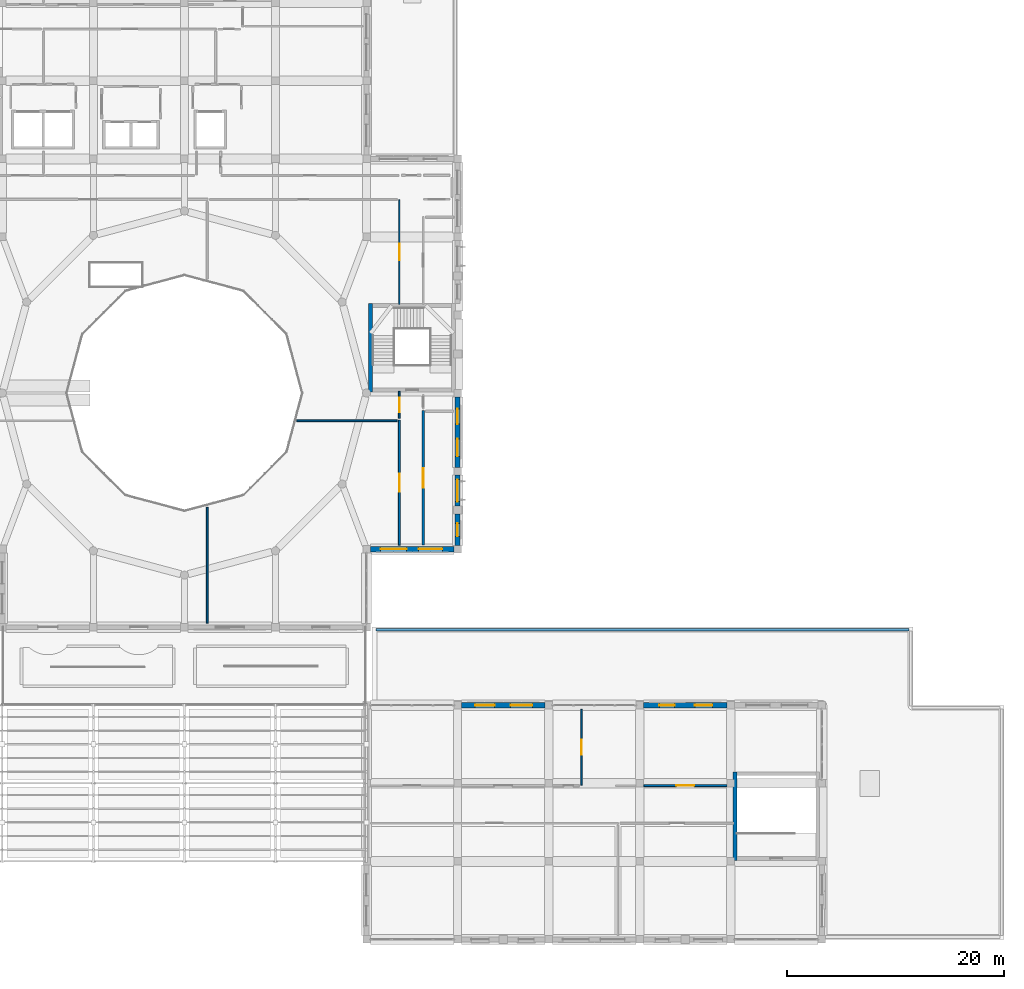
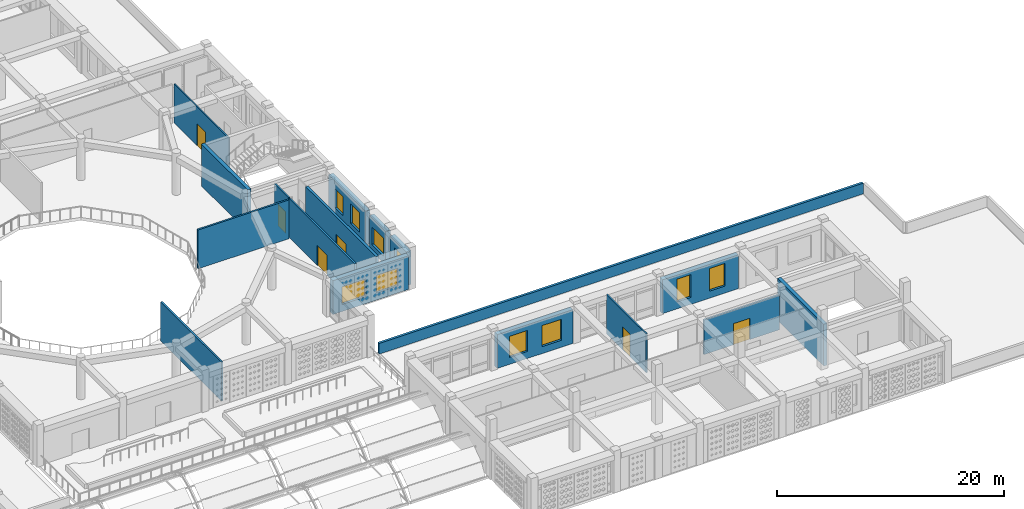
# One storey, part 59 of 100: 17 walls, 10 windows, 6 doors, 16 openings.
"""IFC4 building model written with IfcOpenShell, lengths in metres."""

from ifc_helpers import new_model, si_unit, derived_unit, direction, frame, frame_2d, origin, place, context, subcontext, project, spatial, rectangle, extrude, material, layer, layer_set, type_object, element, fill, save


model = new_model("IFC4")

# Units and contexts
model_context = context("Model", 3, precision=1e-05, world=origin(), true_north=direction((0.0, 1.0)))
body_context = subcontext(model_context, "Body", "Model", "MODEL_VIEW")
ifc_project = project(units=[si_unit("LENGTHUNIT", "METRE"), si_unit("AREAUNIT", "SQUARE_METRE"), si_unit("VOLUMEUNIT", "CUBIC_METRE"), si_unit("PLANEANGLEUNIT", "RADIAN"), si_unit("MASSUNIT", "GRAM", prefix="KILO"), derived_unit("THERMALTRANSMITTANCEUNIT", [(si_unit("POWERUNIT", "WATT"), 1), (si_unit("LENGTHUNIT", "METRE"), -2), (si_unit("THERMODYNAMICTEMPERATUREUNIT", "KELVIN"), -1)])], contexts=[model_context])

# Site, building, storey
site_placement = place(None, origin())
site = spatial("IfcSite", under=ifc_project, at=site_placement, CompositionType="ELEMENT")
building_placement = place(site_placement, origin())
building = spatial("IfcBuilding", under=site, at=building_placement, Name="Veybourne Emporium", CompositionType="ELEMENT")
storey_placement = place(building_placement, frame((0.0, 0.0, 14.39990234375)))
storey = spatial("IfcBuildingStorey", under=building, at=storey_placement, Name="L03", CompositionType="ELEMENT", Elevation=14.39990234375)

# Wall, openings, windows
ifc_material_1 = material(Name="Portland Limestone Ashlar", Category="masonry")
ifc_layer_1 = layer(ifc_material_1, 0.47998046875)
ifc_layer_set_1 = layer_set([ifc_layer_1], Name="Portland Limestone Ashlar")
wall_type_1 = type_object("IfcWallType", Name="ExtWall_EW-01", PredefinedType="SOLIDWALL", material=ifc_layer_set_1)
wall_1_placement = place(storey_placement, frame((100.449951171875, 36.0, 0.0), z_axis=(0.0, 0.0, 1.0), x_axis=(-1.0, 0.0, 0.0)))
wall_1 = element("IfcWall", 1, at=wall_1_placement, inside=storey, type_object=wall_type_1, Name="L03 Portland stone external wall 053", PredefinedType="SOLIDWALL", context=body_context, shape_type="SweptSolid", body=[
    extrude(rectangle(XDim=7.699951171875, YDim=0.47998046875, at=frame_2d((3.85009765625, 0.0))), origin(), (0.0, 0.0, 1.0), 3.630126953125),
])
opening_1_placement = place(wall_1_placement, frame((1.055908203125, 0.0, 0.75)))
opening_1 = element("IfcOpeningElement", 2, at=opening_1_placement, cuts=wall_1, Name="Opening W-06", PredefinedType="OPENING", context=body_context, shape_type="SweptSolid", body=[
    extrude(rectangle(XDim=2.199951171875, YDim=1.89990234375, at=frame_2d((1.10009765625, 0.949951171875))), frame((0.0, 0.260009765625, 0.0), z_axis=(0.0, -1.0, 0.0), x_axis=(1.0, 0.0, 0.0)), (0.0, 0.0, 1.0), 0.52001953125),
])
opening_2_placement = place(wall_1_placement, frame((4.343994140625, 0.0, 0.75)))
opening_2 = element("IfcOpeningElement", 3, at=opening_2_placement, cuts=wall_1, Name="Opening W-07", PredefinedType="OPENING", context=body_context, shape_type="SweptSolid", body=[
    extrude(rectangle(XDim=2.39990234375, YDim=1.89990234375, at=frame_2d((1.199951171875, 0.949951171875))), frame((0.0, 0.260009765625, 0.0), z_axis=(0.0, -1.0, 0.0), x_axis=(1.0, 0.0, 0.0)), (0.0, 0.0, 1.0), 0.52001953125),
])
ifc_material_2 = material(Name="Low-E Triple Glazing", Category="glass")
window_type_1 = type_object("IfcWindowType", Name="Win_W-06", PartitioningType="TRIPLE_PANEL_VERTICAL", PredefinedType="WINDOW", material=ifc_material_2)
window_1_placement = place(opening_1_placement, origin())
window_1 = element("IfcWindow", 4, at=window_1_placement, inside=storey, type_object=window_type_1, Name="L03 tripartite bronze casement window W-06 (53.1)", OverallHeight=1.89990234375, OverallWidth=2.199951171875, PartitioningType="TRIPLE_PANEL_VERTICAL", PredefinedType="WINDOW", context=body_context, shape_type="SweptSolid", body=[
    extrude(rectangle(XDim=2.199951171875, YDim=1.89990234375, at=frame_2d((1.10009765625, 0.949951171875))), frame((0.0, 0.030029296875, 0.0), z_axis=(0.0, -1.0, 0.0), x_axis=(1.0, 0.0, 0.0)), (0.0, 0.0, 1.0), 0.06005859375),
])
fill(opening_1, window_1)
window_type_2 = type_object("IfcWindowType", Name="Win_W-07", PartitioningType="TRIPLE_PANEL_VERTICAL", PredefinedType="WINDOW", material=ifc_material_2)
window_2_placement = place(opening_2_placement, origin())
window_2 = element("IfcWindow", 5, at=window_2_placement, inside=storey, type_object=window_type_2, Name="L03 tripartite bronze casement window W-07 (53.2)", OverallHeight=1.89990234375, OverallWidth=2.39990234375, PartitioningType="TRIPLE_PANEL_VERTICAL", PredefinedType="WINDOW", context=body_context, shape_type="SweptSolid", body=[
    extrude(rectangle(XDim=2.39990234375, YDim=1.89990234375, at=frame_2d((1.199951171875, 0.949951171875))), frame((0.0, 0.030029296875, 0.0), z_axis=(0.0, -1.0, 0.0), x_axis=(1.0, 0.0, 0.0)), (0.0, 0.0, 1.0), 0.06005859375),
])
fill(opening_2, window_2)

# Wall, opening, window
wall_2_placement = place(storey_placement, frame((100.800048828125, 42.85009765625, 0.0), z_axis=(0.0, 0.0, 1.0), x_axis=(0.0, -1.0, 0.0)))
wall_2 = element("IfcWall", 6, at=wall_2_placement, inside=storey, type_object=wall_type_1, Name="L03 Portland stone external wall 054A", PredefinedType="SOLIDWALL", context=body_context, shape_type="SweptSolid", body=[
    extrude(rectangle(XDim=2.880126953125, YDim=0.47998046875, at=frame_2d((1.43994140625, 0.0))), origin(), (0.0, 0.0, 1.0), 3.630126953125),
])
opening_3_placement = place(wall_2_placement, frame((0.425048828125, 0.0, 0.75)))
opening_3 = element("IfcOpeningElement", 7, at=opening_3_placement, cuts=wall_2, Name="Opening W-08", PredefinedType="OPENING", context=body_context, shape_type="SweptSolid", body=[
    extrude(rectangle(XDim=2.030029296875, YDim=1.89990234375, at=frame_2d((1.01513671875, 0.949951171875))), frame((0.0, 0.260009765625, 0.0), z_axis=(0.0, -1.0, 0.0), x_axis=(1.0, 0.0, 0.0)), (0.0, 0.0, 1.0), 0.52001953125),
])
window_type_3 = type_object("IfcWindowType", Name="Win_W-08", PartitioningType="TRIPLE_PANEL_VERTICAL", PredefinedType="WINDOW", material=ifc_material_2)
window_3_placement = place(opening_3_placement, origin())
window_3 = element("IfcWindow", 8, at=window_3_placement, inside=storey, type_object=window_type_3, Name="L03 tripartite bronze casement window W-08 (54A)", OverallHeight=1.89990234375, OverallWidth=2.030029296875, PartitioningType="TRIPLE_PANEL_VERTICAL", PredefinedType="WINDOW", context=body_context, shape_type="SweptSolid", body=[
    extrude(rectangle(XDim=2.030029296875, YDim=1.89990234375, at=frame_2d((1.01513671875, 0.949951171875))), frame((0.0, 0.030029296875, 0.0), z_axis=(0.0, -1.0, 0.0), x_axis=(1.0, 0.0, 0.0)), (0.0, 0.0, 1.0), 0.06005859375),
])
fill(opening_3, window_3)

wall_3_placement = place(storey_placement, frame((100.800048828125, 39.22998046875, 0.0), z_axis=(0.0, 0.0, 1.0), x_axis=(0.0, -1.0, 0.0)))
wall_3 = element("IfcWall", 9, at=wall_3_placement, inside=storey, type_object=wall_type_1, Name="L03 Portland stone external wall 054B", PredefinedType="SOLIDWALL", context=body_context, shape_type="SweptSolid", body=[
    extrude(rectangle(XDim=2.8798828125, YDim=0.47998046875, at=frame_2d((1.43994140625, 0.0))), origin(), (0.0, 0.0, 1.0), 3.630126953125),
])
opening_4_placement = place(wall_3_placement, frame((0.840087890625, 0.0, 0.75)))
opening_4 = element("IfcOpeningElement", 10, at=opening_4_placement, cuts=wall_3, Name="Opening W-09", PredefinedType="OPENING", context=body_context, shape_type="SweptSolid", body=[
    extrude(rectangle(XDim=1.199951171875, YDim=2.080078125, at=frame_2d((0.60009765625, 1.0400390625))), frame((0.0, 0.260009765625, 0.0), z_axis=(0.0, -1.0, 0.0), x_axis=(1.0, 0.0, 0.0)), (0.0, 0.0, 1.0), 0.52001953125),
])
window_type_4 = type_object("IfcWindowType", Name="Win_W-09", PartitioningType="SINGLE_PANEL", PredefinedType="WINDOW", material=ifc_material_2)
window_4_placement = place(opening_4_placement, origin())
window_4 = element("IfcWindow", 11, at=window_4_placement, inside=storey, type_object=window_type_4, Name="L03 tripartite bronze casement window W-09 (54B)", OverallHeight=2.080078125, OverallWidth=1.199951171875, PartitioningType="SINGLE_PANEL", PredefinedType="WINDOW", context=body_context, shape_type="SweptSolid", body=[
    extrude(rectangle(XDim=1.199951171875, YDim=2.080078125, at=frame_2d((0.60009765625, 1.0400390625))), frame((0.0, 0.030029296875, 0.0), z_axis=(0.0, -1.0, 0.0), x_axis=(1.0, 0.0, 0.0)), (0.0, 0.0, 1.0), 0.06005859375),
])
fill(opening_4, window_4)

# Wall, openings, windows
wall_4_placement = place(storey_placement, frame((100.800048828125, 50.050048828125, 0.0), z_axis=(0.0, 0.0, 1.0), x_axis=(0.0, -1.0, 0.0)))
wall_4 = element("IfcWall", 12, at=wall_4_placement, inside=storey, type_object=wall_type_1, Name="L03 Portland stone external wall 055", PredefinedType="SOLIDWALL", context=body_context, shape_type="SweptSolid", body=[
    extrude(rectangle(XDim=6.5, YDim=0.47998046875, at=frame_2d((3.25, 0.0))), origin(), (0.0, 0.0, 1.0), 3.630126953125),
])
opening_5_placement = place(wall_4_placement, frame((1.1201171875, 0.0, 0.75)))
opening_5 = element("IfcOpeningElement", 13, at=opening_5_placement, cuts=wall_4, Name="Opening W-10", PredefinedType="OPENING", context=body_context, shape_type="SweptSolid", body=[
    extrude(rectangle(XDim=1.39990234375, YDim=2.080078125, at=frame_2d((0.699951171875, 1.0400390625))), frame((0.0, 0.260009765625, 0.0), z_axis=(0.0, -1.0, 0.0), x_axis=(1.0, 0.0, 0.0)), (0.0, 0.0, 1.0), 0.52001953125),
])
opening_6_placement = place(wall_4_placement, frame((3.8798828125, 0.0, 0.75)))
opening_6 = element("IfcOpeningElement", 14, at=opening_6_placement, cuts=wall_4, Name="Opening W-11", PredefinedType="OPENING", context=body_context, shape_type="SweptSolid", body=[
    extrude(rectangle(XDim=1.60009765625, YDim=2.080078125, at=frame_2d((0.800048828125, 1.0400390625))), frame((0.0, 0.260009765625, 0.0), z_axis=(0.0, -1.0, 0.0), x_axis=(1.0, 0.0, 0.0)), (0.0, 0.0, 1.0), 0.52001953125),
])
window_type_5 = type_object("IfcWindowType", Name="Win_W-10", PartitioningType="DOUBLE_PANEL_VERTICAL", PredefinedType="WINDOW", material=ifc_material_2)
window_5_placement = place(opening_5_placement, origin())
window_5 = element("IfcWindow", 15, at=window_5_placement, inside=storey, type_object=window_type_5, Name="L03 tripartite bronze casement window W-10 (55.1)", OverallHeight=2.080078125, OverallWidth=1.39990234375, PartitioningType="DOUBLE_PANEL_VERTICAL", PredefinedType="WINDOW", context=body_context, shape_type="SweptSolid", body=[
    extrude(rectangle(XDim=1.39990234375, YDim=2.080078125, at=frame_2d((0.699951171875, 1.0400390625))), frame((0.0, 0.030029296875, 0.0), z_axis=(0.0, -1.0, 0.0), x_axis=(1.0, 0.0, 0.0)), (0.0, 0.0, 1.0), 0.06005859375),
])
fill(opening_5, window_5)
window_type_6 = type_object("IfcWindowType", Name="Win_W-11", PartitioningType="DOUBLE_PANEL_VERTICAL", PredefinedType="WINDOW", material=ifc_material_2)
window_6_placement = place(opening_6_placement, origin())
window_6 = element("IfcWindow", 16, at=window_6_placement, inside=storey, type_object=window_type_6, Name="L03 tripartite bronze casement window W-11 (55.2)", OverallHeight=2.080078125, OverallWidth=1.60009765625, PartitioningType="DOUBLE_PANEL_VERTICAL", PredefinedType="WINDOW", context=body_context, shape_type="SweptSolid", body=[
    extrude(rectangle(XDim=1.60009765625, YDim=2.080078125, at=frame_2d((0.800048828125, 1.0400390625))), frame((0.0, 0.030029296875, 0.0), z_axis=(0.0, -1.0, 0.0), x_axis=(1.0, 0.0, 0.0)), (0.0, 0.0, 1.0), 0.06005859375),
])
fill(opening_6, window_6)

wall_5_placement = place(storey_placement, frame((101.14990234375, 21.60009765625, 0.0), z_axis=(0.0, 0.0, 1.0), x_axis=(1.0, 0.0, 0.0)))
wall_5 = element("IfcWall", 17, at=wall_5_placement, inside=storey, type_object=wall_type_1, Name="L03 Portland stone external wall 061", PredefinedType="SOLIDWALL", context=body_context, shape_type="SweptSolid", body=[
    extrude(rectangle(XDim=7.7001953125, YDim=0.47998046875, at=frame_2d((3.85009765625, 0.0))), origin(), (0.0, 0.0, 1.0), 3.630126953125),
])
opening_7_placement = place(wall_5_placement, frame((1.256103515625, 0.0, 0.75)))
opening_7 = element("IfcOpeningElement", 18, at=opening_7_placement, cuts=wall_5, Name="Opening W-20", PredefinedType="OPENING", context=body_context, shape_type="SweptSolid", body=[
    extrude(rectangle(XDim=1.800048828125, YDim=2.260009765625, at=frame_2d((0.89990234375, 1.1298828125))), frame((0.0, 0.260009765625, 0.0), z_axis=(0.0, -1.0, 0.0), x_axis=(1.0, 0.0, 0.0)), (0.0, 0.0, 1.0), 0.52001953125),
])
opening_8_placement = place(wall_5_placement, frame((4.5439453125, 0.0, 0.75)))
opening_8 = element("IfcOpeningElement", 19, at=opening_8_placement, cuts=wall_5, Name="Opening W-21", PredefinedType="OPENING", context=body_context, shape_type="SweptSolid", body=[
    extrude(rectangle(XDim=2.0, YDim=2.260009765625, at=frame_2d((1.0, 1.1298828125))), frame((0.0, 0.260009765625, 0.0), z_axis=(0.0, -1.0, 0.0), x_axis=(1.0, 0.0, 0.0)), (0.0, 0.0, 1.0), 0.52001953125),
])
window_type_7 = type_object("IfcWindowType", Name="Win_W-20", PartitioningType="DOUBLE_PANEL_VERTICAL", PredefinedType="WINDOW", material=ifc_material_2)
window_7_placement = place(opening_7_placement, origin())
window_7 = element("IfcWindow", 20, at=window_7_placement, inside=storey, type_object=window_type_7, Name="L03 tripartite bronze casement window W-20 (61.1)", OverallHeight=2.260009765625, OverallWidth=1.800048828125, PartitioningType="DOUBLE_PANEL_VERTICAL", PredefinedType="WINDOW", context=body_context, shape_type="SweptSolid", body=[
    extrude(rectangle(XDim=1.800048828125, YDim=2.260009765625, at=frame_2d((0.89990234375, 1.1298828125))), frame((0.0, 0.030029296875, 0.0), z_axis=(0.0, -1.0, 0.0), x_axis=(1.0, 0.0, 0.0)), (0.0, 0.0, 1.0), 0.06005859375),
])
fill(opening_7, window_7)
window_type_8 = type_object("IfcWindowType", Name="Win_W-21", PartitioningType="TRIPLE_PANEL_VERTICAL", PredefinedType="WINDOW", material=ifc_material_2)
window_8_placement = place(opening_8_placement, origin())
window_8 = element("IfcWindow", 21, at=window_8_placement, inside=storey, type_object=window_type_8, Name="L03 tripartite bronze casement window W-21 (61.2)", OverallHeight=2.260009765625, OverallWidth=2.0, PartitioningType="TRIPLE_PANEL_VERTICAL", PredefinedType="WINDOW", context=body_context, shape_type="SweptSolid", body=[
    extrude(rectangle(XDim=2.0, YDim=2.260009765625, at=frame_2d((1.0, 1.1298828125))), frame((0.0, 0.030029296875, 0.0), z_axis=(0.0, -1.0, 0.0), x_axis=(1.0, 0.0, 0.0)), (0.0, 0.0, 1.0), 0.06005859375),
])
fill(opening_8, window_8)

wall_6_placement = place(storey_placement, frame((117.949951171875, 21.60009765625, 0.0), z_axis=(0.0, 0.0, 1.0), x_axis=(1.0, 0.0, 0.0)))
wall_6 = element("IfcWall", 22, at=wall_6_placement, inside=storey, type_object=wall_type_1, Name="L03 Portland stone external wall 065", PredefinedType="SOLIDWALL", context=body_context, shape_type="SweptSolid", body=[
    extrude(rectangle(XDim=7.699951171875, YDim=0.47998046875, at=frame_2d((3.85009765625, 0.0))), origin(), (0.0, 0.0, 1.0), 3.630126953125),
])
opening_9_placement = place(wall_6_placement, frame((1.4560546875, 0.0, 0.75)))
opening_9 = element("IfcOpeningElement", 23, at=opening_9_placement, cuts=wall_6, Name="Opening W-26", PredefinedType="OPENING", context=body_context, shape_type="SweptSolid", body=[
    extrude(rectangle(XDim=1.39990234375, YDim=2.43994140625, at=frame_2d((0.699951171875, 1.219970703125))), frame((0.0, 0.260009765625, 0.0), z_axis=(0.0, -1.0, 0.0), x_axis=(1.0, 0.0, 0.0)), (0.0, 0.0, 1.0), 0.52001953125),
])
opening_10_placement = place(wall_6_placement, frame((4.743896484375, 0.0, 0.75)))
opening_10 = element("IfcOpeningElement", 24, at=opening_10_placement, cuts=wall_6, Name="Opening W-27", PredefinedType="OPENING", context=body_context, shape_type="SweptSolid", body=[
    extrude(rectangle(XDim=1.60009765625, YDim=2.43994140625, at=frame_2d((0.800048828125, 1.219970703125))), frame((0.0, 0.260009765625, 0.0), z_axis=(0.0, -1.0, 0.0), x_axis=(1.0, 0.0, 0.0)), (0.0, 0.0, 1.0), 0.52001953125),
])
window_type_9 = type_object("IfcWindowType", Name="Win_W-26", PartitioningType="DOUBLE_PANEL_VERTICAL", PredefinedType="WINDOW", material=ifc_material_2)
window_9_placement = place(opening_9_placement, origin())
window_9 = element("IfcWindow", 25, at=window_9_placement, inside=storey, type_object=window_type_9, Name="L03 tripartite bronze casement window W-26 (65.1)", OverallHeight=2.43994140625, OverallWidth=1.39990234375, PartitioningType="DOUBLE_PANEL_VERTICAL", PredefinedType="WINDOW", context=body_context, shape_type="SweptSolid", body=[
    extrude(rectangle(XDim=1.39990234375, YDim=2.43994140625, at=frame_2d((0.699951171875, 1.219970703125))), frame((0.0, 0.030029296875, 0.0), z_axis=(0.0, -1.0, 0.0), x_axis=(1.0, 0.0, 0.0)), (0.0, 0.0, 1.0), 0.06005859375),
])
fill(opening_9, window_9)
window_type_10 = type_object("IfcWindowType", Name="Win_W-27", PartitioningType="DOUBLE_PANEL_VERTICAL", PredefinedType="WINDOW", material=ifc_material_2)
window_10_placement = place(opening_10_placement, origin())
window_10 = element("IfcWindow", 26, at=window_10_placement, inside=storey, type_object=window_type_10, Name="L03 tripartite bronze casement window W-27 (65.2)", OverallHeight=2.43994140625, OverallWidth=1.60009765625, PartitioningType="DOUBLE_PANEL_VERTICAL", PredefinedType="WINDOW", context=body_context, shape_type="SweptSolid", body=[
    extrude(rectangle(XDim=1.60009765625, YDim=2.43994140625, at=frame_2d((0.800048828125, 1.219970703125))), frame((0.0, 0.030029296875, 0.0), z_axis=(0.0, -1.0, 0.0), x_axis=(1.0, 0.0, 0.0)), (0.0, 0.0, 1.0), 0.06005859375),
])
fill(opening_10, window_10)

# Walls
ifc_material_3 = material(Name="Precast concrete C40/50", Category="concrete")
ifc_layer_2 = layer(ifc_material_3, 0.239990234375)
ifc_layer_set_2 = layer_set([ifc_layer_2], Name="Precast concrete C40/50")
wall_type_2 = type_object("IfcWallType", Name="ExtWall_PW-02", PredefinedType="PARAPET", material=ifc_layer_set_2)
wall_7_placement = place(storey_placement, frame((93.25, 28.580078125, 0.0), z_axis=(0.0, 0.0, 1.0), x_axis=(1.0, 0.0, 0.0)))
element("IfcWall", 27, at=wall_7_placement, inside=storey, type_object=wall_type_2, Name="L03 roof parapet wall 007", PredefinedType="PARAPET", context=body_context, shape_type="SweptSolid", body=[
    extrude(rectangle(XDim=49.199951171875, YDim=0.239990234375, at=frame_2d((24.60009765625, 0.0))), origin(), (0.0, 0.0, 1.0), 1.150146484375),
])
ifc_material_4 = material(Name="Concrete C40/50", Category="concrete")
ifc_layer_3 = layer(ifc_material_4, 0.35009765625)
ifc_layer_set_3 = layer_set([ifc_layer_3], Name="Concrete C40/50")
wall_type_3 = type_object("IfcWallType", Name="IntWall_CW-02", PredefinedType="SHEAR", material=ifc_layer_set_3)
for number, where, z_axis, x_axis, name in (
    (28, (126.375, 15.449951171875, 0.0), (0.0, 0.0, 1.0), (0.0, -1.0, 0.0), "Core stair ST-06 west shear wall (L03)"),
    (29, (92.77490234375, 58.64990234375, 0.0), (0.0, 0.0, 1.0), (0.0, -1.0, 0.0), "Core stair ST-07 west shear wall (L03)"),
):
    element("IfcWall", number, at=place(storey_placement, frame(where, z_axis=z_axis, x_axis=x_axis)), inside=storey, type_object=wall_type_3, Name=name, PredefinedType="SHEAR", context=body_context, shape_type="SweptSolid", body=[
        extrude(rectangle(XDim=8.14990234375, YDim=0.35009765625, at=frame_2d((4.074951171875, 0.0))), origin(), (0.0, 0.0, 1.0), 4.5),
    ])

# Wall, opening, door
ifc_material_5 = material(Name="Concrete C32/40", Category="concrete")
ifc_layer_4 = layer(ifc_material_5, 0.25)
ifc_layer_set_4 = layer_set([ifc_layer_4], Name="Concrete C32/40")
wall_type_4 = type_object("IfcWallType", Name="IntWall_FW-01", PredefinedType="SOLIDWALL", material=ifc_layer_set_4)
wall_8_placement = place(storey_placement, frame((97.6298828125, 36.3701171875, 0.0), z_axis=(0.0, 0.0, 1.0), x_axis=(0.0, 1.0, 0.0)))
wall_8 = element("IfcWall", 30, at=wall_8_placement, inside=storey, type_object=wall_type_4, Name="L03 interior partition FW-01 #035", PredefinedType="SOLIDWALL", context=body_context, shape_type="SweptSolid", body=[
    extrude(rectangle(XDim=12.409912109375, YDim=0.25, at=frame_2d((6.205078125, 0.0))), origin(), (0.0, 0.0, 1.0), 4.18017578125),
])
opening_11_placement = place(wall_8_placement, frame((5.304931640625, 0.0, 0.0)))
opening_11 = element("IfcOpeningElement", 31, at=opening_11_placement, cuts=wall_8, Name="Opening FD-03", PredefinedType="OPENING", context=body_context, shape_type="SweptSolid", body=[
    extrude(rectangle(XDim=1.800048828125, YDim=2.300048828125, at=frame_2d((0.89990234375, 1.14990234375))), frame((0.0, 0.14501953125, 0.0), z_axis=(0.0, -1.0, 0.0), x_axis=(1.0, 0.0, 0.0)), (0.0, 0.0, 1.0), 0.2900390625),
])
ifc_material_6 = material(Name="Patinated Architectural Bronze", Category="bronze")
door_type_1 = type_object("IfcDoorType", Name="FireDoor_FD-03", OperationType="DOUBLE_DOOR_SINGLE_SWING", PredefinedType="DOOR", material=ifc_material_6)
door_1_placement = place(opening_11_placement, origin())
door_1 = element("IfcDoor", 32, at=door_1_placement, inside=storey, type_object=door_type_1, Name="L03 interior door FD-03 (PART-L03-035)", OperationType="DOUBLE_DOOR_SINGLE_SWING", OverallHeight=2.300048828125, OverallWidth=1.800048828125, PredefinedType="DOOR", context=body_context, shape_type="SweptSolid", body=[
    extrude(rectangle(XDim=1.800048828125, YDim=2.300048828125, at=frame_2d((0.89990234375, 1.14990234375))), frame((0.0, 0.02490234375, 0.0), z_axis=(0.0, -1.0, 0.0), x_axis=(1.0, 0.0, 0.0)), (0.0, 0.0, 1.0), 0.050048828125),
])
fill(opening_11, door_1)

ifc_material_7 = material(Name="Gypsum Acoustic Board", Category="gypsum")
ifc_layer_5 = layer(ifc_material_7, 0.179931640625)
ifc_layer_set_5 = layer_set([ifc_layer_5], Name="Gypsum Acoustic Board")
wall_type_5 = type_object("IfcWallType", Name="IntWall_IW-01", PredefinedType="PARTITIONING", material=ifc_layer_set_5)
wall_9_placement = place(storey_placement, frame((95.419921875, 36.3701171875, 0.0), z_axis=(0.0, 0.0, 1.0), x_axis=(0.0, 1.0, 0.0)))
wall_9 = element("IfcWall", 33, at=wall_9_placement, inside=storey, type_object=wall_type_5, Name="L03 interior partition IW-01 #038", PredefinedType="PARTITIONING", context=body_context, shape_type="SweptSolid", body=[
    extrude(rectangle(XDim=11.52490234375, YDim=0.179931640625, at=frame_2d((5.762451171875, 0.0))), origin(), (0.0, 0.0, 1.0), 4.18017578125),
])
opening_12_placement = place(wall_9_placement, frame((4.922607421875, 0.0, 0.0)))
opening_12 = element("IfcOpeningElement", 34, at=opening_12_placement, cuts=wall_9, Name="Opening D-12", PredefinedType="OPENING", context=body_context, shape_type="SweptSolid", body=[
    extrude(rectangle(XDim=1.679931640625, YDim=2.1298828125, at=frame_2d((0.83984375, 1.06494140625))), frame((0.0, 0.10986328125, 0.0), z_axis=(0.0, -1.0, 0.0), x_axis=(1.0, 0.0, 0.0)), (0.0, 0.0, 1.0), 0.219970703125),
])
ifc_material_8 = material(Name="European Oak Veneer and Bronze", Category="wood")
door_type_2 = type_object("IfcDoorType", Name="IntDoor_D-12", OperationType="DOUBLE_DOOR_SINGLE_SWING", PredefinedType="DOOR", material=ifc_material_8)
door_2_placement = place(opening_12_placement, origin())
door_2 = element("IfcDoor", 35, at=door_2_placement, inside=storey, type_object=door_type_2, Name="L03 interior door D-12 (PART-L03-038)", OperationType="DOUBLE_DOOR_SINGLE_SWING", OverallHeight=2.1298828125, OverallWidth=1.679931640625, PredefinedType="DOOR", context=body_context, shape_type="SweptSolid", body=[
    extrude(rectangle(XDim=1.679931640625, YDim=2.1298828125, at=frame_2d((0.83984375, 1.06494140625))), frame((0.0, 0.02490234375, 0.0), z_axis=(0.0, -1.0, 0.0), x_axis=(1.0, 0.0, 0.0)), (0.0, 0.0, 1.0), 0.050048828125),
])
fill(opening_12, door_2)

wall_10_placement = place(storey_placement, frame((117.969970703125, 14.179931640625, 0.0), z_axis=(0.0, 0.0, 1.0), x_axis=(1.0, 0.0, 0.0)))
wall_10 = element("IfcWall", 36, at=wall_10_placement, inside=storey, type_object=wall_type_5, Name="L03 interior partition IW-01 #050", PredefinedType="PARTITIONING", context=body_context, shape_type="SweptSolid", body=[
    extrude(rectangle(XDim=7.659912109375, YDim=0.179931640625, at=frame_2d((3.830078125, 0.0))), origin(), (0.0, 0.0, 1.0), 3.72998046875),
])
opening_13_placement = place(wall_10_placement, frame((2.989990234375, 0.0, 0.0)))
opening_13 = element("IfcOpeningElement", 37, at=opening_13_placement, cuts=wall_10, Name="Opening D-24", PredefinedType="OPENING", context=body_context, shape_type="SweptSolid", body=[
    extrude(rectangle(XDim=1.679931640625, YDim=2.2900390625, at=frame_2d((0.83984375, 1.14501953125))), frame((0.0, 0.10986328125, 0.0), z_axis=(0.0, -1.0, 0.0), x_axis=(1.0, 0.0, 0.0)), (0.0, 0.0, 1.0), 0.219970703125),
])
door_type_3 = type_object("IfcDoorType", Name="IntDoor_D-24", OperationType="DOUBLE_DOOR_SINGLE_SWING", PredefinedType="DOOR", material=ifc_material_8)
door_3_placement = place(opening_13_placement, origin())
door_3 = element("IfcDoor", 38, at=door_3_placement, inside=storey, type_object=door_type_3, Name="L03 interior door D-24 (PART-L03-050)", OperationType="DOUBLE_DOOR_SINGLE_SWING", OverallHeight=2.2900390625, OverallWidth=1.679931640625, PredefinedType="DOOR", context=body_context, shape_type="SweptSolid", body=[
    extrude(rectangle(XDim=1.679931640625, YDim=2.2900390625, at=frame_2d((0.83984375, 1.14501953125))), frame((0.0, 0.02490234375, 0.0), z_axis=(0.0, -1.0, 0.0), x_axis=(1.0, 0.0, 0.0)), (0.0, 0.0, 1.0), 0.050048828125),
])
fill(opening_13, door_3)

# Walls
wall_11_placement = place(storey_placement, frame((77.705078125, 29.169921875, 0.0), z_axis=(0.0, 0.0, 1.0), x_axis=(0.0, 1.0, 0.0)))
element("IfcWall", 39, at=wall_11_placement, inside=storey, type_object=wall_type_5, Name="L03 interior partition IW-01 #131", PredefinedType="PARTITIONING", context=body_context, shape_type="SweptSolid", body=[
    extrude(rectangle(XDim=10.68701171875, YDim=0.179931640625, at=frame_2d((5.343505859375, 0.0))), origin(), (0.0, 0.0, 1.0), 4.18017578125),
])
wall_12_placement = place(storey_placement, frame((85.97900390625, 47.844970703125, 0.0), z_axis=(0.0, 0.0, 1.0), x_axis=(1.0, 0.0, 0.0)))
element("IfcWall", 40, at=wall_12_placement, inside=storey, type_object=wall_type_5, Name="L03 interior partition IW-01 #134", PredefinedType="PARTITIONING", context=body_context, shape_type="SweptSolid", body=[
    extrude(rectangle(XDim=9.23095703125, YDim=0.179931640625, at=frame_2d((4.615478515625, 0.0))), origin(), (0.0, 0.0, 1.0), 4.18017578125),
])

# Wall, opening, door
ifc_layer_6 = layer(ifc_material_7, 0.14990234375)
ifc_layer_set_6 = layer_set([ifc_layer_6], Name="Gypsum Acoustic Board")
wall_type_6 = type_object("IfcWallType", Name="IntWall_IW-02", PredefinedType="PARTITIONING", material=ifc_layer_set_6)
wall_13_placement = place(storey_placement, frame((112.219970703125, 14.22998046875, 0.0), z_axis=(0.0, 0.0, 1.0), x_axis=(0.0, 1.0, 0.0)))
wall_13 = element("IfcWall", 41, at=wall_13_placement, inside=storey, type_object=wall_type_6, Name="L03 interior partition IW-02 #060", PredefinedType="PARTITIONING", context=body_context, shape_type="SweptSolid", body=[
    extrude(rectangle(XDim=7.0, YDim=0.14990234375, at=frame_2d((3.5, 0.0))), origin(), (0.0, 0.0, 1.0), 4.18017578125),
])
opening_14_placement = place(wall_13_placement, frame((2.820068359375, 0.0, 0.0)))
opening_14 = element("IfcOpeningElement", 42, at=opening_14_placement, cuts=wall_13, Name="Opening D-34", PredefinedType="OPENING", context=body_context, shape_type="SweptSolid", body=[
    extrude(rectangle(XDim=1.360107421875, YDim=2.449951171875, at=frame_2d((0.68017578125, 1.22509765625))), frame((0.0, 0.094970703125, 0.0), z_axis=(0.0, -1.0, 0.0), x_axis=(1.0, 0.0, 0.0)), (0.0, 0.0, 1.0), 0.18994140625),
])
door_type_4 = type_object("IfcDoorType", Name="IntDoor_D-34", OperationType="NOTDEFINED", PredefinedType="DOOR", material=ifc_material_8)
door_4_placement = place(opening_14_placement, origin())
door_4 = element("IfcDoor", 43, at=door_4_placement, inside=storey, type_object=door_type_4, Name="L03 interior door D-34 (PART-L03-060)", OperationType="SINGLE_SWING_LEFT", OverallHeight=2.449951171875, OverallWidth=1.360107421875, PredefinedType="DOOR", context=body_context, shape_type="SweptSolid", body=[
    extrude(rectangle(XDim=1.360107421875, YDim=2.449951171875, at=frame_2d((0.68017578125, 1.22509765625))), frame((0.0, 0.02490234375, 0.0), z_axis=(0.0, -1.0, 0.0), x_axis=(1.0, 0.0, 0.0)), (0.0, 0.0, 1.0), 0.050048828125),
])
fill(opening_14, door_4)

wall_14_placement = place(storey_placement, frame((95.419921875, 48.054931640625, 0.0), z_axis=(0.0, 0.0, 1.0), x_axis=(0.0, 1.0, 0.0)))
wall_14 = element("IfcWall", 44, at=wall_14_placement, inside=storey, type_object=wall_type_6, Name="L03 interior partition IW-02 #084", PredefinedType="PARTITIONING", context=body_context, shape_type="SweptSolid", body=[
    extrude(rectangle(XDim=2.505126953125, YDim=0.14990234375, at=frame_2d((1.25244140625, 0.0))), origin(), (0.0, 0.0, 1.0), 4.18017578125),
])
opening_15_placement = place(wall_14_placement, frame((0.572509765625, 0.0, 0.0)))
opening_15 = element("IfcOpeningElement", 45, at=opening_15_placement, cuts=wall_14, Name="Opening D-22", PredefinedType="OPENING", context=body_context, shape_type="SweptSolid", body=[
    extrude(rectangle(XDim=1.360107421875, YDim=2.2900390625, at=frame_2d((0.68017578125, 1.14501953125))), frame((0.0, 0.094970703125, 0.0), z_axis=(0.0, -1.0, 0.0), x_axis=(1.0, 0.0, 0.0)), (0.0, 0.0, 1.0), 0.18994140625),
])
door_type_5 = type_object("IfcDoorType", Name="IntDoor_D-22", OperationType="NOTDEFINED", PredefinedType="DOOR", material=ifc_material_8)
door_5_placement = place(opening_15_placement, origin())
door_5 = element("IfcDoor", 46, at=door_5_placement, inside=storey, type_object=door_type_5, Name="L03 interior door D-22 (PART-L03-084)", OperationType="SINGLE_SWING_RIGHT", OverallHeight=2.2900390625, OverallWidth=1.360107421875, PredefinedType="DOOR", context=body_context, shape_type="SweptSolid", body=[
    extrude(rectangle(XDim=1.360107421875, YDim=2.2900390625, at=frame_2d((0.68017578125, 1.14501953125))), frame((0.0, 0.02490234375, 0.0), z_axis=(0.0, -1.0, 0.0), x_axis=(1.0, 0.0, 0.0)), (0.0, 0.0, 1.0), 0.050048828125),
])
fill(opening_15, door_5)

ifc_layer_7 = layer(ifc_material_7, 0.1201171875)
ifc_layer_set_7 = layer_set([ifc_layer_7], Name="Gypsum Acoustic Board")
wall_type_7 = type_object("IfcWallType", Name="IntWall_IW-03", PredefinedType="PARTITIONING", material=ifc_layer_set_7)
wall_15_placement = place(storey_placement, frame((95.419921875, 58.590087890625, 0.0), z_axis=(0.0, 0.0, 1.0), x_axis=(0.0, 1.0, 0.0)))
wall_15 = element("IfcWall", 47, at=wall_15_placement, inside=storey, type_object=wall_type_7, Name="L03 interior partition IW-03 #055", PredefinedType="PARTITIONING", context=body_context, shape_type="SweptSolid", body=[
    extrude(rectangle(XDim=9.6298828125, YDim=0.1201171875, at=frame_2d((4.81494140625, 0.0))), origin(), (0.0, 0.0, 1.0), 4.18017578125),
])
opening_16_placement = place(wall_15_placement, frame((4.054931640625, 0.0, 0.0)))
opening_16 = element("IfcOpeningElement", 48, at=opening_16_placement, cuts=wall_15, Name="Opening D-29", PredefinedType="OPENING", context=body_context, shape_type="SweptSolid", body=[
    extrude(rectangle(XDim=1.52001953125, YDim=2.3701171875, at=frame_2d((0.760009765625, 1.18505859375))), frame((0.0, 0.080078125, 0.0), z_axis=(0.0, -1.0, 0.0), x_axis=(1.0, 0.0, 0.0)), (0.0, 0.0, 1.0), 0.16015625),
])
door_type_6 = type_object("IfcDoorType", Name="IntDoor_D-29", OperationType="NOTDEFINED", PredefinedType="DOOR", material=ifc_material_8)
door_6_placement = place(opening_16_placement, origin())
door_6 = element("IfcDoor", 49, at=door_6_placement, inside=storey, type_object=door_type_6, Name="L03 interior door D-29 (PART-L03-055)", OperationType="SINGLE_SWING_LEFT", OverallHeight=2.3701171875, OverallWidth=1.52001953125, PredefinedType="DOOR", context=body_context, shape_type="SweptSolid", body=[
    extrude(rectangle(XDim=1.52001953125, YDim=2.3701171875, at=frame_2d((0.760009765625, 1.18505859375))), frame((0.0, 0.02490234375, 0.0), z_axis=(0.0, -1.0, 0.0), x_axis=(1.0, 0.0, 0.0)), (0.0, 0.0, 1.0), 0.050048828125),
])
fill(opening_16, door_6)

save(model, "model.ifc")
